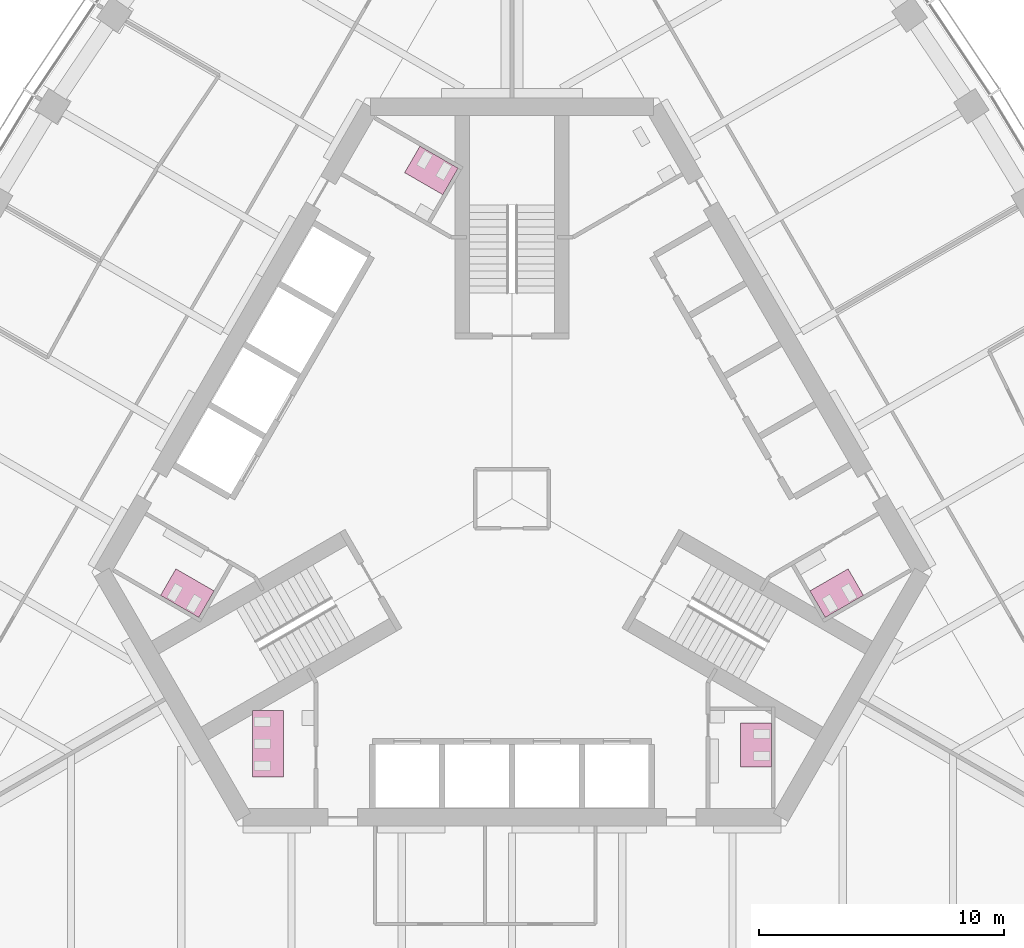
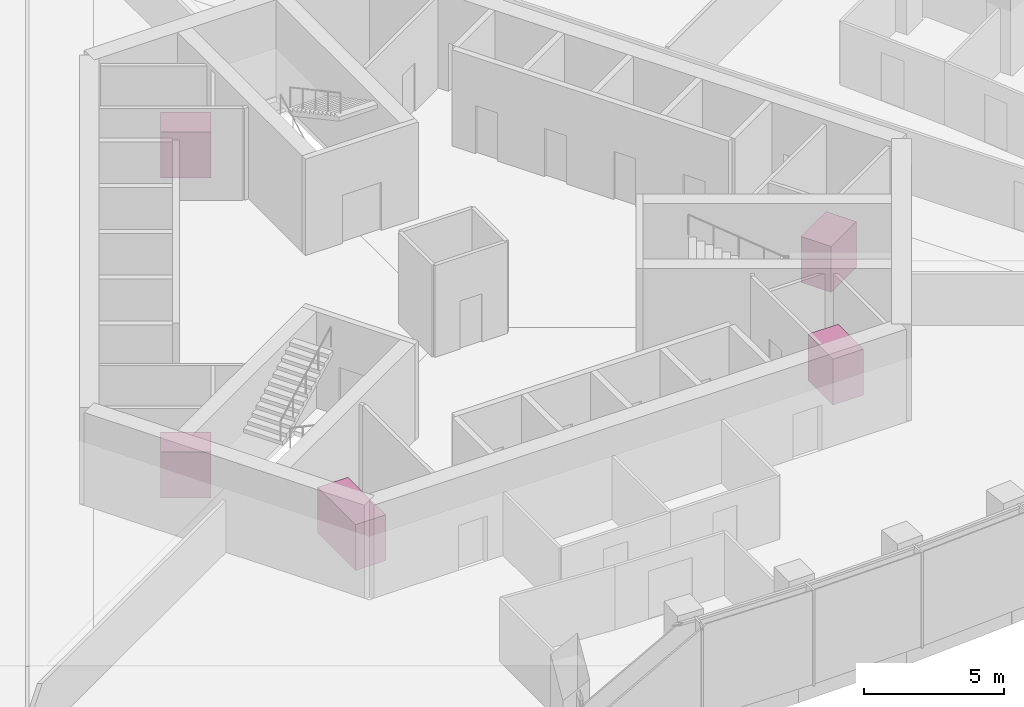
# One storey, part 19 of 19: 5 furniture elements.
"""IFC4 building model written with IfcOpenShell, lengths in metres."""

from ifc_helpers import new_model, si_unit, direction, frame, origin, place, context, subcontext, project, spatial, polyline, outline, extrude, material, type_object, element, save


model = new_model("IFC4")

# Units and contexts
model_context = context("Model", 3, precision=1e-05, world=origin(), true_north=direction((0.0, 1.0)))
body_context = subcontext(model_context, "Body", "Model", "MODEL_VIEW")
ifc_project = project(units=[si_unit("LENGTHUNIT", "METRE"), si_unit("AREAUNIT", "SQUARE_METRE"), si_unit("VOLUMEUNIT", "CUBIC_METRE"), si_unit("PLANEANGLEUNIT", "RADIAN"), si_unit("MASSUNIT", "GRAM", prefix="KILO")], contexts=[model_context])

# Site, building, storey
site_placement = place(None, origin())
site = spatial("IfcSite", under=ifc_project, at=site_placement, CompositionType="ELEMENT")
building_placement = place(site_placement, origin())
building = spatial("IfcBuilding", under=site, at=building_placement, Name="Trefoil Bronze Tower", CompositionType="ELEMENT")
storey_placement = place(building_placement, frame((0.0, 0.0, 240.10009765625)))
storey = spatial("IfcBuildingStorey", under=building, at=storey_placement, Name="L55", CompositionType="ELEMENT", Elevation=240.10009765625)

# Furniture
ifc_material_1 = material(Name="Compact laminate cubicles", Category="plastic")
furniture_type_1 = type_object("IfcFurnitureType", Name="WC cubicle range 2 cubicles", AssemblyPlace="FACTORY", PredefinedType="USERDEFINED", material=ifc_material_1)
furniture_1_placement = place(storey_placement, origin())
element("IfcFurniture", 1, at=furniture_1_placement, inside=storey, type_object=furniture_type_1, Name="WC cubicle range WC (men) L55", ObjectType="WC cubicle range", PredefinedType="USERDEFINED", context=body_context, shape_type="SweptSolid", body=[
    extrude(outline(polyline([(9.3349609375, -9.14990234375), (10.5849609375, -9.14990234375), (10.5849609375, -10.949951171875), (9.3349609375, -10.949951171875), (9.3349609375, -9.14990234375)])), origin(), (0.0, 0.0, 1.0), 2.0),
])
furniture_2_placement = place(storey_placement, origin())
element("IfcFurniture", 2, at=furniture_2_placement, inside=storey, type_object=furniture_type_1, Name="WC cubicle range WC (women) L55", ObjectType="WC cubicle range", PredefinedType="USERDEFINED", context=body_context, shape_type="SweptSolid", body=[
    extrude(outline(polyline([(12.15869140625, -3.75927734375), (12.78369140625, -4.841796875), (14.342529296875, -3.94189453125), (13.717529296875, -2.859375), (12.15869140625, -3.75927734375)])), origin(), (0.0, 0.0, 1.0), 2.0),
])
furniture_3_placement = place(storey_placement, origin())
element("IfcFurniture", 3, at=furniture_3_placement, inside=storey, type_object=furniture_type_1, Name="WC cubicle range WC (women) L55", ObjectType="WC cubicle range", PredefinedType="USERDEFINED", context=body_context, shape_type="SweptSolid", body=[
    extrude(outline(polyline([(-2.82373046875, 12.409423828125), (-2.19873046875, 13.491943359375), (-3.757568359375, 14.391845703125), (-4.382568359375, 13.309326171875), (-2.82373046875, 12.409423828125)])), origin(), (0.0, 0.0, 1.0), 2.0),
])
furniture_4_placement = place(storey_placement, origin())
element("IfcFurniture", 4, at=furniture_4_placement, inside=storey, type_object=furniture_type_1, Name="WC cubicle range WC (men) L55", ObjectType="WC cubicle range", PredefinedType="USERDEFINED", context=body_context, shape_type="SweptSolid", body=[
    extrude(outline(polyline([(-12.15869140625, -3.75927734375), (-12.78369140625, -4.841796875), (-14.342529296875, -3.94189453125), (-13.717529296875, -2.859375), (-12.15869140625, -3.75927734375)])), origin(), (0.0, 0.0, 1.0), 2.0),
])
ifc_material_2 = material(Name="Compact laminate cubicles", Category="plastic")
furniture_type_2 = type_object("IfcFurnitureType", Name="WC cubicle range 3 cubicles", AssemblyPlace="FACTORY", PredefinedType="USERDEFINED", material=ifc_material_2)
furniture_5_placement = place(storey_placement, origin())
element("IfcFurniture", 5, at=furniture_5_placement, inside=storey, type_object=furniture_type_2, Name="WC cubicle range WC (women) L55", ObjectType="WC cubicle range", PredefinedType="USERDEFINED", context=body_context, shape_type="SweptSolid", body=[
    extrude(outline(polyline([(-9.3349609375, -8.64990234375), (-10.5849609375, -8.64990234375), (-10.5849609375, -11.35009765625), (-9.3349609375, -11.35009765625), (-9.3349609375, -8.64990234375)])), origin(), (0.0, 0.0, 1.0), 2.0),
])

save(model, "model.ifc")
